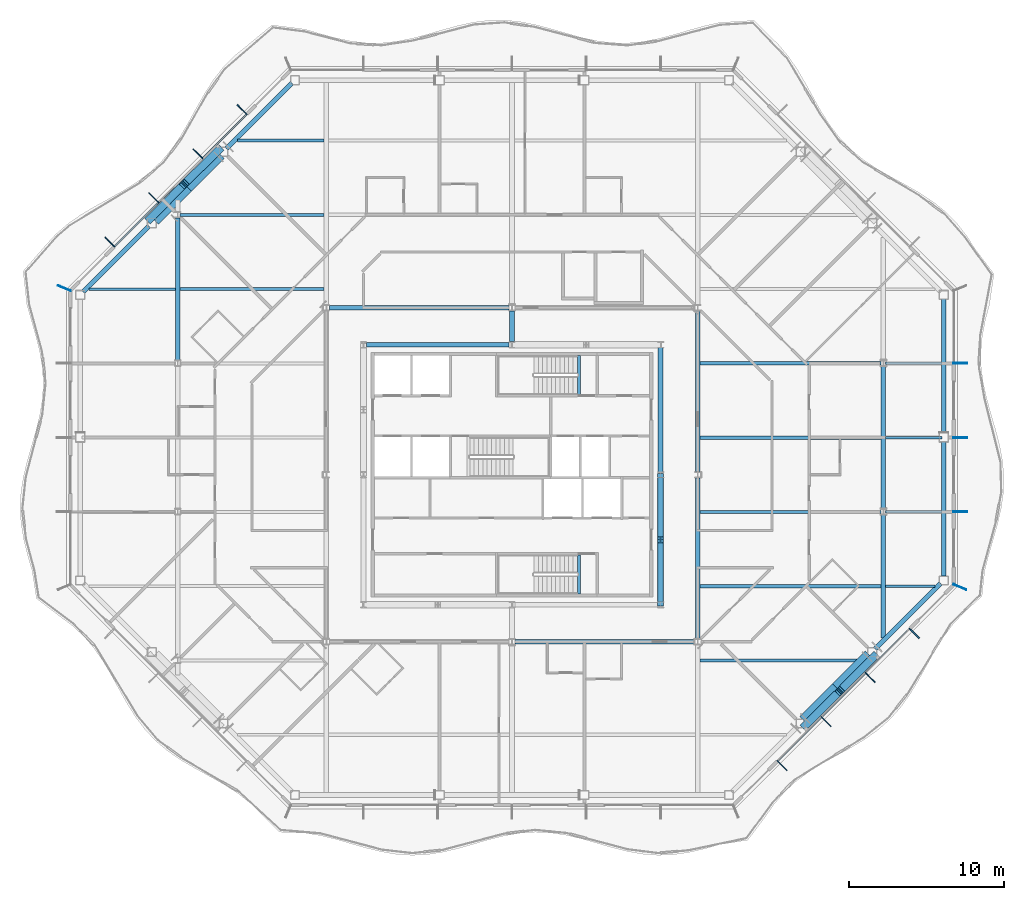
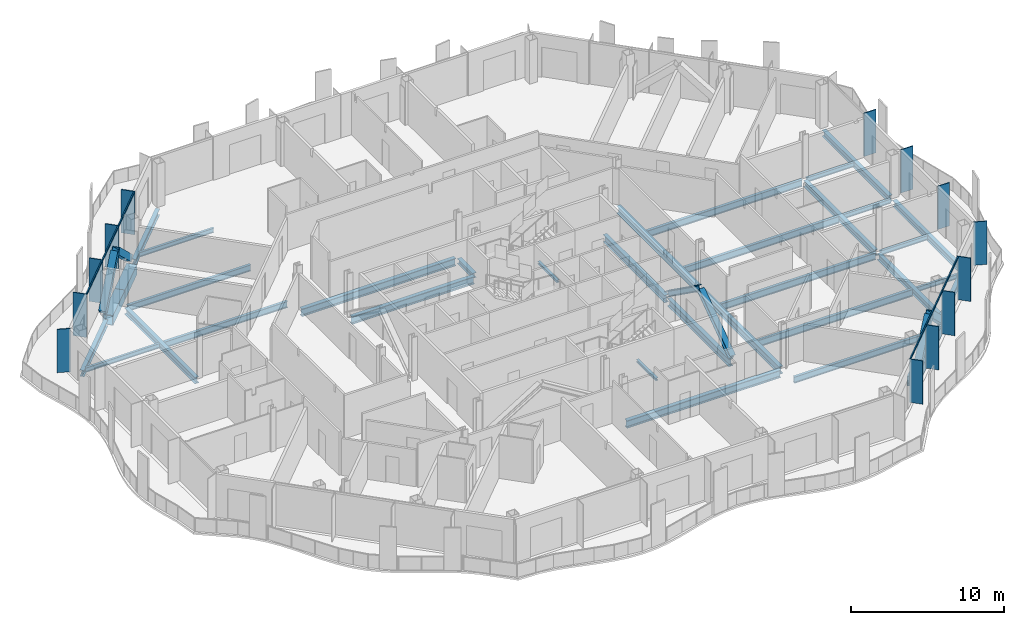
# One storey, part 4 of 21: 35 beams, 25 members, 4 elements without a shape of their own.
"""IFC4 building model written with IfcOpenShell, lengths in metres."""

from ifc_helpers import new_model, si_unit, direction, frame, origin, origin_2d, place, context, subcontext, project, spatial, rectangle, hollow_rectangle, i_section, extrude, material, material_profile, profile_set, type_object, element, aggregate, save


model = new_model("IFC4")

# Units and contexts
model_context = context("Model", 3, precision=1e-05, world=origin(), true_north=direction((0.0, 1.0)))
body_context = subcontext(model_context, "Body", "Model", "MODEL_VIEW")
ifc_project = project(units=[si_unit("LENGTHUNIT", "METRE"), si_unit("AREAUNIT", "SQUARE_METRE"), si_unit("VOLUMEUNIT", "CUBIC_METRE"), si_unit("PLANEANGLEUNIT", "RADIAN"), si_unit("MASSUNIT", "GRAM", prefix="KILO")], contexts=[model_context])

# Site, building, storey
site_placement = place(None, origin())
site = spatial("IfcSite", under=ifc_project, at=site_placement, CompositionType="ELEMENT")
building_placement = place(site_placement, origin())
building = spatial("IfcBuilding", under=site, at=building_placement, Name="Cairn Pilgrim Tower", CompositionType="ELEMENT")
storey_placement = place(building_placement, frame((0.0, 0.0, 154.199951171875)))
storey = spatial("IfcBuildingStorey", under=building, at=storey_placement, Name="L38", CompositionType="ELEMENT", Elevation=154.199951171875)

# Members
ifc_material_1 = material(Name="Structural steel S460M", Category="steel")
ifc_material_profile_1 = material_profile(ifc_material_1, hollow_rectangle(XDim=0.5, YDim=0.5, WallThickness=0.030029296875, at=origin_2d()), Name="BOX 500x500x30")
ifc_profile_set_1 = profile_set([ifc_material_profile_1], Name="Structural steel S460M")
member_type_1 = type_object("IfcMemberType", Name="BOX 500x500x30 BRACE", PredefinedType="BRACE", material=ifc_profile_set_1)
for number, where, z_axis, x_axis, name in (
    (1, (26.097900390625, -13.84326171875, 0.150146484375), (0.540432836476, 0.53283023714, 0.651171473306), (-0.702080283622, 0.712097799006, 0.0), "XB-SE2-SE3-1"),
    (2, (30.643310546875, -9.2978515625, 0.150146484375), (-0.53283023714, -0.540432836476, 0.651171473306), (0.712097799006, -0.702080283622, 0.0), "XB-SE2-SE3-2"),
    (3, (-11.697998046875, 23.443359375, 0.150146484375), (-0.540432836476, -0.53283023714, 0.651171473306), (0.702080283622, -0.712097799006, 0.0), "XB-NW2-NW3-1"),
    (4, (-16.243408203125, 18.89794921875, 0.150146484375), (0.532872437944, 0.54041586551, 0.651151024866), (-0.712058976351, 0.702119658034, 0.0), "XB-NW2-NW3-2"),
):
    element("IfcMember", number, at=place(storey_placement, frame(where, z_axis=z_axis, x_axis=x_axis)), inside=storey, type_object=member_type_1, Name=name, PredefinedType="BRACE", context=body_context, shape_type="SweptSolid", body=[
        extrude(hollow_rectangle(XDim=0.5, YDim=0.5, WallThickness=0.030029296875, at=origin_2d()), origin(), (0.0, 0.0, 1.0), 4.142578125),
    ])

# Beams
ifc_material_2 = material(Name="Structural steel S355J2", Category="steel")
ifc_material_profile_2 = material_profile(ifc_material_2, hollow_rectangle(XDim=0.699951171875, YDim=0.800048828125, WallThickness=0.0400390625, at=origin_2d()), Name="BOX 700x800x40")
ifc_profile_set_2 = profile_set([ifc_material_profile_2], Name="Structural steel S355J2")
beam_type_1 = type_object("IfcBeamType", Name="BOX 700x800x40 RING GIRDER", PredefinedType="SPANDREL", material=ifc_profile_set_2)
for number, where, z_axis, x_axis, name in (
    (5, (26.04248046875, -13.48486328125, -0.550048828125), (0.707066087907, 0.707147472125, 0.0), (-0.707147472125, 0.707066087907, 0.0), "RG2-SE2-SE3-1"),
    (6, (28.16357421875, -11.363525390625, -0.550048828125), (0.707147472125, 0.707066087907, 0.0), (-0.707066087907, 0.707147472125, 0.0), "RG2-SE2-SE3-2"),
    (7, (-11.642333984375, 23.084716796875, -0.550048828125), (-0.707147472125, -0.707066087907, 0.0), (0.707066087907, -0.707147472125, 0.0), "RG2-NW2-NW3-1"),
    (8, (-13.763671875, 20.963623046875, -0.550048828125), (-0.707066087907, -0.707147472125, 0.0), (0.707147472125, -0.707066087907, 0.0), "RG2-NW2-NW3-2"),
):
    element("IfcBeam", number, at=place(storey_placement, frame(where, z_axis=z_axis, x_axis=x_axis)), inside=storey, type_object=beam_type_1, Name=name, PredefinedType="SPANDREL", context=body_context, shape_type="SweptSolid", body=[
        extrude(hollow_rectangle(XDim=0.699951171875, YDim=0.800048828125, WallThickness=0.0400390625, at=origin_2d()), origin(), (0.0, 0.0, 1.0), 2.999755859375),
    ])

# Curtain wall, members
ifc_material_3 = material(Name="Aluminium alloy 6063-T6 bronze anodised with Bronze tinted laminated low-E glass 8+16+8.8", Category="aluminium")
curtain_wall_type_1 = type_object("IfcCurtainWallType", Name="CHAMFER CORNER CURTAIN WALL", PredefinedType="NOTDEFINED", material=ifc_material_3)
curtain_wall_1_placement = place(storey_placement, origin())
curtain_wall_1 = element("IfcCurtainWall", 9, at=curtain_wall_1_placement, inside=storey, type_object=curtain_wall_type_1, Name="Chamfer Corner Curtain Wall SE", PredefinedType="NOTDEFINED")
ifc_material_4 = material(Name="Aluminium alloy 6063-T6 bronze anodised", Category="aluminium")
ifc_material_profile_3 = material_profile(ifc_material_4, rectangle(XDim=0.89990234375, YDim=0.06005859375, at=origin_2d()), Name="FIN MULLION 60x900 BRONZE")
ifc_profile_set_3 = profile_set([ifc_material_profile_3], Name="Aluminium alloy 6063-T6 bronze anodised")
member_type_2 = type_object("IfcMemberType", Name="FIN MULLION 60x900 BRONZE", PredefinedType="MULLION", material=ifc_profile_set_3)
member_1_placement = place(storey_placement, frame((24.64404296875, -16.396240234375, 0.0), z_axis=(0.0, 0.0, 1.0), x_axis=(0.707106781187, -0.707106781187, 0.0)))
member_1 = element("IfcMember", 10, at=member_1_placement, type_object=member_type_2, Name="Fin mullion SE2", PredefinedType="MULLION", context=body_context, shape_type="SweptSolid", body=[
    extrude(rectangle(XDim=0.89990234375, YDim=0.06005859375, at=origin_2d()), origin(), (0.0, 0.0, 1.0), 3.449951171875),
])
member_2_placement = place(storey_placement, frame((27.494873046875, -13.545654296875, 0.0), z_axis=(0.0, 0.0, 1.0), x_axis=(0.707106781187, -0.707106781187, 0.0)))
member_2 = element("IfcMember", 11, at=member_2_placement, type_object=member_type_2, Name="Fin mullion SE3", PredefinedType="MULLION", context=body_context, shape_type="SweptSolid", body=[
    extrude(rectangle(XDim=0.89990234375, YDim=0.06005859375, at=origin_2d()), origin(), (0.0, 0.0, 1.0), 3.449951171875),
])
member_3_placement = place(storey_placement, frame((30.345458984375, -10.69482421875, 0.0), z_axis=(0.0, 0.0, 1.0), x_axis=(0.707106781187, -0.707106781187, 0.0)))
member_3 = element("IfcMember", 12, at=member_3_placement, type_object=member_type_2, Name="Fin mullion SE4", PredefinedType="MULLION", context=body_context, shape_type="SweptSolid", body=[
    extrude(rectangle(XDim=0.89990234375, YDim=0.06005859375, at=origin_2d()), origin(), (0.0, 0.0, 1.0), 3.449951171875),
])
member_4_placement = place(storey_placement, frame((33.1962890625, -7.84423828125, 0.0), z_axis=(0.0, 0.0, 1.0), x_axis=(0.707106781187, -0.707106781187, 0.0)))
member_4 = element("IfcMember", 13, at=member_4_placement, type_object=member_type_2, Name="Fin mullion SE5", PredefinedType="MULLION", context=body_context, shape_type="SweptSolid", body=[
    extrude(rectangle(XDim=0.89990234375, YDim=0.06005859375, at=origin_2d()), origin(), (0.0, 0.0, 1.0), 3.449951171875),
])

curtain_wall_type_2 = type_object("IfcCurtainWallType", Name="TOWER STICK CURTAIN WALL EW", PredefinedType="NOTDEFINED", material=ifc_material_3)
curtain_wall_2_placement = place(storey_placement, origin())
curtain_wall_2 = element("IfcCurtainWall", 14, at=curtain_wall_2_placement, inside=storey, type_object=curtain_wall_type_2, Name="Tower Stick Curtain Wall Ew E", PredefinedType="NOTDEFINED")
member_5_placement = place(storey_placement, frame((36.137939453125, -4.857177734375, 0.0), z_axis=(0.0, 0.0, 1.0), x_axis=(0.923879532511, -0.382683432365, 0.0)))
member_5 = element("IfcMember", 15, at=member_5_placement, type_object=member_type_2, Name="Fin mullion E1", PredefinedType="MULLION", context=body_context, shape_type="SweptSolid", body=[
    extrude(rectangle(XDim=0.89990234375, YDim=0.06005859375, at=origin_2d()), origin(), (0.0, 0.0, 1.0), 3.449951171875),
])
member_6_placement = place(storey_placement, frame((36.169921875, 0.0, 0.0), z_axis=(0.0, 0.0, 1.0), x_axis=(1.0, 0.0, 0.0)))
member_6 = element("IfcMember", 16, at=member_6_placement, type_object=member_type_2, Name="Fin mullion E2", PredefinedType="MULLION", context=body_context, shape_type="SweptSolid", body=[
    extrude(rectangle(XDim=0.89990234375, YDim=0.06005859375, at=origin_2d()), origin(), (0.0, 0.0, 1.0), 3.449951171875),
])
member_7_placement = place(storey_placement, frame((36.169921875, 4.800048828125, 0.0), z_axis=(0.0, 0.0, 1.0), x_axis=(1.0, 0.0, 0.0)))
member_7 = element("IfcMember", 17, at=member_7_placement, type_object=member_type_2, Name="Fin mullion E3", PredefinedType="MULLION", context=body_context, shape_type="SweptSolid", body=[
    extrude(rectangle(XDim=0.89990234375, YDim=0.06005859375, at=origin_2d()), origin(), (0.0, 0.0, 1.0), 3.449951171875),
])
member_8_placement = place(storey_placement, frame((36.169921875, 9.60009765625, 0.0), z_axis=(0.0, 0.0, 1.0), x_axis=(1.0, 0.0, 0.0)))
member_8 = element("IfcMember", 18, at=member_8_placement, type_object=member_type_2, Name="Fin mullion E4", PredefinedType="MULLION", context=body_context, shape_type="SweptSolid", body=[
    extrude(rectangle(XDim=0.89990234375, YDim=0.06005859375, at=origin_2d()), origin(), (0.0, 0.0, 1.0), 3.449951171875),
])
aggregate(curtain_wall_2, [member_5, member_6, member_7, member_8])

curtain_wall_3_placement = place(storey_placement, origin())
curtain_wall_3 = element("IfcCurtainWall", 19, at=curtain_wall_3_placement, inside=storey, type_object=curtain_wall_type_1, Name="Chamfer Corner Curtain Wall NW", PredefinedType="NOTDEFINED")
member_9_placement = place(storey_placement, frame((-10.244140625, 25.996337890625, 0.0), z_axis=(0.0, 0.0, 1.0), x_axis=(-0.707106781187, 0.707106781187, 0.0)))
member_9 = element("IfcMember", 20, at=member_9_placement, type_object=member_type_2, Name="Fin mullion NW2", PredefinedType="MULLION", context=body_context, shape_type="SweptSolid", body=[
    extrude(rectangle(XDim=0.89990234375, YDim=0.06005859375, at=origin_2d()), origin(), (0.0, 0.0, 1.0), 3.449951171875),
])
member_10_placement = place(storey_placement, frame((-13.094970703125, 23.1455078125, 0.0), z_axis=(0.0, 0.0, 1.0), x_axis=(-0.707106781187, 0.707106781187, 0.0)))
member_10 = element("IfcMember", 21, at=member_10_placement, type_object=member_type_2, Name="Fin mullion NW3", PredefinedType="MULLION", context=body_context, shape_type="SweptSolid", body=[
    extrude(rectangle(XDim=0.89990234375, YDim=0.06005859375, at=origin_2d()), origin(), (0.0, 0.0, 1.0), 3.449951171875),
])
member_11_placement = place(storey_placement, frame((-15.945556640625, 20.294921875, 0.0), z_axis=(0.0, 0.0, 1.0), x_axis=(-0.707106781187, 0.707106781187, 0.0)))
member_11 = element("IfcMember", 22, at=member_11_placement, type_object=member_type_2, Name="Fin mullion NW4", PredefinedType="MULLION", context=body_context, shape_type="SweptSolid", body=[
    extrude(rectangle(XDim=0.89990234375, YDim=0.06005859375, at=origin_2d()), origin(), (0.0, 0.0, 1.0), 3.449951171875),
])
member_12_placement = place(storey_placement, frame((-18.79638671875, 17.444091796875, 0.0), z_axis=(0.0, 0.0, 1.0), x_axis=(-0.707106781187, 0.707106781187, 0.0)))
member_12 = element("IfcMember", 23, at=member_12_placement, type_object=member_type_2, Name="Fin mullion NW5", PredefinedType="MULLION", context=body_context, shape_type="SweptSolid", body=[
    extrude(rectangle(XDim=0.89990234375, YDim=0.06005859375, at=origin_2d()), origin(), (0.0, 0.0, 1.0), 3.449951171875),
])

# Curtain wall, member
curtain_wall_4_placement = place(storey_placement, origin())
curtain_wall_4 = element("IfcCurtainWall", 24, at=curtain_wall_4_placement, inside=storey, type_object=curtain_wall_type_2, Name="Tower Stick Curtain Wall Ew W", PredefinedType="NOTDEFINED")
member_13_placement = place(storey_placement, frame((-21.738037109375, 14.457275390625, 0.0), z_axis=(0.0, 0.0, 1.0), x_axis=(-0.923879532511, 0.382683432365, 0.0)))
member_13 = element("IfcMember", 25, at=member_13_placement, type_object=member_type_2, Name="Fin mullion W1", PredefinedType="MULLION", context=body_context, shape_type="SweptSolid", body=[
    extrude(rectangle(XDim=0.89990234375, YDim=0.06005859375, at=origin_2d()), origin(), (0.0, 0.0, 1.0), 3.449951171875),
])
aggregate(curtain_wall_4, [member_13])

# Members
ifc_material_profile_4 = material_profile(ifc_material_1, i_section(OverallWidth=0.408935546875, OverallDepth=0.425048828125, WebThickness=0.03271484375, FlangeThickness=0.052490234375, FilletRadius=0.014892578125, at=origin_2d()), Name="HD 400x421")
ifc_profile_set_4 = profile_set([ifc_material_profile_4], Name="Structural steel S460M")
member_type_3 = type_object("IfcMemberType", Name="HD 400x421 BRACE", PredefinedType="BRACE", material=ifc_profile_set_4)
member_14_placement = place(storey_placement, frame((16.800048828125, -5.95849609375, 0.10009765625), z_axis=(0.0, 0.814346882511, 0.580378458373), x_axis=(-1.0, 0.0, 0.0)))
element("IfcMember", 26, at=member_14_placement, inside=storey, type_object=member_type_3, Name="KB-2A", PredefinedType="BRACE", context=body_context, shape_type="SweptSolid", body=[
    extrude(i_section(OverallWidth=0.408935546875, OverallDepth=0.425048828125, WebThickness=0.03271484375, FlangeThickness=0.052490234375, FilletRadius=0.014892578125, at=origin_2d()), origin(), (0.0, 0.0, 1.0), 4.998291015625),
])
member_15_placement = place(storey_placement, frame((16.800048828125, 2.3583984375, 0.10009765625), z_axis=(0.0, -0.81433042856, 0.580401544727), x_axis=(1.0, 0.0, 0.0)))
element("IfcMember", 27, at=member_15_placement, inside=storey, type_object=member_type_3, Name="KB-2B", PredefinedType="BRACE", context=body_context, shape_type="SweptSolid", body=[
    extrude(i_section(OverallWidth=0.408935546875, OverallDepth=0.425048828125, WebThickness=0.03271484375, FlangeThickness=0.052490234375, FilletRadius=0.014892578125, at=origin_2d()), origin(), (0.0, 0.0, 1.0), 4.998046875),
])

# Beams
ifc_material_profile_5 = material_profile(ifc_material_2, i_section(OverallWidth=0.300048828125, OverallDepth=0.39990234375, WebThickness=0.013427734375, FlangeThickness=0.02392578125, FilletRadius=0.027099609375, at=origin_2d()), Name="HEB 400")
ifc_profile_set_5 = profile_set([ifc_material_profile_5], Name="Structural steel S355J2")
beam_type_2 = type_object("IfcBeamType", Name="HEB 400 GIRDER", PredefinedType="BEAM", material=ifc_profile_set_5)
beam_1_placement = place(storey_placement, frame((7.199951171875, 11.008056640625, -0.349853515625), z_axis=(0.0, 1.0, 0.0), x_axis=(-1.0, 0.0, 0.0)))
element("IfcBeam", 28, at=beam_1_placement, inside=storey, type_object=beam_type_2, Name="PG3-E2", PredefinedType="BEAM", context=body_context, shape_type="SweptSolid", body=[
    extrude(i_section(OverallWidth=0.300048828125, OverallDepth=0.39990234375, WebThickness=0.013427734375, FlangeThickness=0.02392578125, FilletRadius=0.027099609375, at=origin_2d()), origin(), (0.0, 0.0, 1.0), 1.992431640625),
])
ifc_material_profile_6 = material_profile(ifc_material_2, i_section(OverallWidth=0.300048828125, OverallDepth=0.5, WebThickness=0.014404296875, FlangeThickness=0.028076171875, FilletRadius=0.027099609375, at=origin_2d()), Name="HEB 500")
ifc_profile_set_6 = profile_set([ifc_material_profile_6], Name="Structural steel S355J2")
beam_type_3 = type_object("IfcBeamType", Name="HEB 500 GIRDER", PredefinedType="BEAM", material=ifc_profile_set_6)
beam_2_placement = place(storey_placement, frame((-14.39990234375, 9.799560546875, -0.39990234375), z_axis=(0.0, 1.0, 0.0), x_axis=(-1.0, 0.0, 0.0)))
element("IfcBeam", 29, at=beam_2_placement, inside=storey, type_object=beam_type_3, Name="PG1-3", PredefinedType="BEAM", context=body_context, shape_type="SweptSolid", body=[
    extrude(i_section(OverallWidth=0.300048828125, OverallDepth=0.5, WebThickness=0.014404296875, FlangeThickness=0.028076171875, FilletRadius=0.027099609375, at=origin_2d()), origin(), (0.0, 0.0, 1.0), 9.200927734375),
])
beam_3_placement = place(storey_placement, frame((31.199951171875, -8.14501953125, -0.39990234375), z_axis=(0.0, 1.0, 0.0), x_axis=(-1.0, 0.0, 0.0)))
element("IfcBeam", 30, at=beam_3_placement, inside=storey, type_object=beam_type_3, Name="PG5-1", PredefinedType="BEAM", context=body_context, shape_type="SweptSolid", body=[
    extrude(i_section(OverallWidth=0.300048828125, OverallDepth=0.5, WebThickness=0.014404296875, FlangeThickness=0.028076171875, FilletRadius=0.027099609375, at=origin_2d()), origin(), (0.0, 0.0, 1.0), 7.9404296875),
])
beam_4_placement = place(storey_placement, frame((31.199951171875, 0.20458984375, -0.39990234375), z_axis=(0.0, 1.0, 0.0), x_axis=(-1.0, 0.0, 0.0)))
element("IfcBeam", 31, at=beam_4_placement, inside=storey, type_object=beam_type_3, Name="PG5-2", PredefinedType="BEAM", context=body_context, shape_type="SweptSolid", body=[
    extrude(i_section(OverallWidth=0.300048828125, OverallDepth=0.5, WebThickness=0.014404296875, FlangeThickness=0.028076171875, FilletRadius=0.027099609375, at=origin_2d()), origin(), (0.0, 0.0, 1.0), 9.19091796875),
])
ifc_material_profile_7 = material_profile(ifc_material_2, i_section(OverallWidth=0.300048828125, OverallDepth=0.5, WebThickness=0.014404296875, FlangeThickness=0.028076171875, FilletRadius=0.027099609375, at=origin_2d()), Name="HEB 500")
ifc_profile_set_7 = profile_set([ifc_material_profile_7], Name="Structural steel S355J2")
beam_type_4 = type_object("IfcBeamType", Name="HEB 500 RING GIRDER", PredefinedType="SPANDREL", material=ifc_profile_set_7)
beam_5_placement = place(storey_placement, frame((30.666748046875, -8.860595703125, -0.39990234375), z_axis=(0.707106781187, 0.707106781187, 0.0), x_axis=(-0.707106781187, 0.707106781187, 0.0)))
element("IfcBeam", 32, at=beam_5_placement, inside=storey, type_object=beam_type_4, Name="RG2-SE3-E1", PredefinedType="SPANDREL", context=body_context, shape_type="SweptSolid", body=[
    extrude(i_section(OverallWidth=0.300048828125, OverallDepth=0.5, WebThickness=0.014404296875, FlangeThickness=0.028076171875, FilletRadius=0.027099609375, at=origin_2d()), origin(), (0.0, 0.0, 1.0), 5.999755859375),
])
beam_6_placement = place(storey_placement, frame((35.10009765625, -4.1572265625, -0.39990234375), z_axis=(0.0, 1.0, 0.0), x_axis=(-1.0, 0.0, 0.0)))
element("IfcBeam", 33, at=beam_6_placement, inside=storey, type_object=beam_type_4, Name="RG2-E1-E2", PredefinedType="SPANDREL", context=body_context, shape_type="SweptSolid", body=[
    extrude(i_section(OverallWidth=0.300048828125, OverallDepth=0.5, WebThickness=0.014404296875, FlangeThickness=0.028076171875, FilletRadius=0.027099609375, at=origin_2d()), origin(), (0.0, 0.0, 1.0), 8.687255859375),
])
beam_7_placement = place(storey_placement, frame((35.10009765625, 5.070068359375, -0.39990234375), z_axis=(0.0, 1.0, 0.0), x_axis=(-1.0, 0.0, 0.0)))
element("IfcBeam", 34, at=beam_7_placement, inside=storey, type_object=beam_type_4, Name="RG2-E2-NE1", PredefinedType="SPANDREL", context=body_context, shape_type="SweptSolid", body=[
    extrude(i_section(OverallWidth=0.300048828125, OverallDepth=0.5, WebThickness=0.014404296875, FlangeThickness=0.028076171875, FilletRadius=0.027099609375, at=origin_2d()), origin(), (0.0, 0.0, 1.0), 8.68701171875),
])
beam_8_placement = place(storey_placement, frame((-7.01806640625, 27.708984375, -0.39990234375), z_axis=(-0.707127127534, -0.707086434254, 0.0), x_axis=(0.707086434254, -0.707127127534, 0.0)))
element("IfcBeam", 35, at=beam_8_placement, inside=storey, type_object=beam_type_4, Name="RG2-NW1-NW2", PredefinedType="SPANDREL", context=body_context, shape_type="SweptSolid", body=[
    extrude(i_section(OverallWidth=0.300048828125, OverallDepth=0.5, WebThickness=0.014404296875, FlangeThickness=0.028076171875, FilletRadius=0.027099609375, at=origin_2d()), origin(), (0.0, 0.0, 1.0), 5.99951171875),
])
beam_9_placement = place(storey_placement, frame((-16.2666015625, 18.460693359375, -0.39990234375), z_axis=(-0.707086435425, -0.707127126363, 0.0), x_axis=(0.707127126363, -0.707086435425, 0.0)))
element("IfcBeam", 36, at=beam_9_placement, inside=storey, type_object=beam_type_4, Name="RG2-NW3-W1", PredefinedType="SPANDREL", context=body_context, shape_type="SweptSolid", body=[
    extrude(i_section(OverallWidth=0.300048828125, OverallDepth=0.5, WebThickness=0.014404296875, FlangeThickness=0.028076171875, FilletRadius=0.027099609375, at=origin_2d()), origin(), (0.0, 0.0, 1.0), 5.999755859375),
])
ifc_material_profile_8 = material_profile(ifc_material_2, i_section(OverallWidth=0.300048828125, OverallDepth=0.60009765625, WebThickness=0.015380859375, FlangeThickness=0.030029296875, FilletRadius=0.027099609375, at=origin_2d()), Name="HEB 600")
ifc_profile_set_8 = profile_set([ifc_material_profile_8], Name="Structural steel S355J2")
beam_type_5 = type_object("IfcBeamType", Name="HEB 600 CORE BEAM", PredefinedType="BEAM", material=ifc_profile_set_8)
for number, where, z_axis, x_axis, name in (
    (37, (16.800048828125, -5.812744140625, -0.449951171875), (0.0, 1.0, 0.0), (-1.0, 0.0, 0.0), "CB-3"),
    (38, (16.800048828125, 2.587158203125, -0.449951171875), (0.0, 1.0, 0.0), (-1.0, 0.0, 0.0), "CB-4"),
):
    element("IfcBeam", number, at=place(storey_placement, frame(where, z_axis=z_axis, x_axis=x_axis)), inside=storey, type_object=beam_type_5, Name=name, PredefinedType="BEAM", context=body_context, shape_type="SweptSolid", body=[
        extrude(i_section(OverallWidth=0.300048828125, OverallDepth=0.60009765625, WebThickness=0.015380859375, FlangeThickness=0.030029296875, FilletRadius=0.027099609375, at=origin_2d()), origin(), (0.0, 0.0, 1.0), 8.025634765625),
    ])
beam_10_placement = place(storey_placement, frame((7.0126953125, 10.800048828125, -0.449951171875), z_axis=(-1.0, 0.0, 0.0), x_axis=(0.0, -1.0, 0.0)))
element("IfcBeam", 39, at=beam_10_placement, inside=storey, type_object=beam_type_5, Name="CB-6", PredefinedType="BEAM", context=body_context, shape_type="SweptSolid", body=[
    extrude(i_section(OverallWidth=0.300048828125, OverallDepth=0.60009765625, WebThickness=0.015380859375, FlangeThickness=0.030029296875, FilletRadius=0.027099609375, at=origin_2d()), origin(), (0.0, 0.0, 1.0), 9.2255859375),
])
ifc_material_profile_9 = material_profile(ifc_material_2, i_section(OverallWidth=0.300048828125, OverallDepth=0.60009765625, WebThickness=0.015380859375, FlangeThickness=0.030029296875, FilletRadius=0.027099609375, at=origin_2d()), Name="HEB 600")
ifc_profile_set_9 = profile_set([ifc_material_profile_9], Name="Structural steel S355J2")
beam_type_6 = type_object("IfcBeamType", Name="HEB 600 GIRDER", PredefinedType="BEAM", material=ifc_profile_set_9)
for number, where, z_axis, x_axis, name in (
    (40, (19.199951171875, -8.200439453125, -0.449951171875), (0.0, 1.0, 0.0), (-1.0, 0.0, 0.0), "PG4-2"),
    (41, (19.199951171875, 2.599609375, -0.449951171875), (0.0, 1.0, 0.0), (-1.0, 0.0, 0.0), "PG4-3"),
):
    element("IfcBeam", number, at=place(storey_placement, frame(where, z_axis=z_axis, x_axis=x_axis)), inside=storey, type_object=beam_type_6, Name=name, PredefinedType="BEAM", context=body_context, shape_type="SweptSolid", body=[
        extrude(i_section(OverallWidth=0.300048828125, OverallDepth=0.60009765625, WebThickness=0.015380859375, FlangeThickness=0.030029296875, FilletRadius=0.027099609375, at=origin_2d()), origin(), (0.0, 0.0, 1.0), 10.40087890625),
    ])
ifc_material_profile_10 = material_profile(ifc_material_2, i_section(OverallWidth=0.300048828125, OverallDepth=0.60009765625, WebThickness=0.015380859375, FlangeThickness=0.030029296875, FilletRadius=0.027099609375, at=origin_2d()), Name="HEB 600")
ifc_profile_set_10 = profile_set([ifc_material_profile_10], Name="Structural steel S355J2")
beam_type_7 = type_object("IfcBeamType", Name="HEB 600 INNER GIRDER", PredefinedType="BEAM", material=ifc_profile_set_10)
for number, where, z_axis, x_axis, name in (
    (42, (7.3994140625, -8.39990234375, -0.449951171875), (1.0, 0.0, 0.0), (0.0, 1.0, 0.0), "IG1-2"),
    (43, (-4.6005859375, 13.199951171875, -0.449951171875), (1.0, 0.0, 0.0), (0.0, 1.0, 0.0), "IG2-1"),
):
    element("IfcBeam", number, at=place(storey_placement, frame(where, z_axis=z_axis, x_axis=x_axis)), inside=storey, type_object=beam_type_7, Name=name, PredefinedType="BEAM", context=body_context, shape_type="SweptSolid", body=[
        extrude(i_section(OverallWidth=0.300048828125, OverallDepth=0.60009765625, WebThickness=0.015380859375, FlangeThickness=0.030029296875, FilletRadius=0.027099609375, at=origin_2d()), origin(), (0.0, 0.0, 1.0), 11.60107421875),
    ])
ifc_material_profile_11 = material_profile(ifc_material_2, i_section(OverallWidth=0.169921875, OverallDepth=0.360107421875, WebThickness=0.008056640625, FlangeThickness=0.0126953125, FilletRadius=0.01806640625, at=origin_2d()), Name="IPE 360")
ifc_profile_set_11 = profile_set([ifc_material_profile_11], Name="Structural steel S355J2")
beam_type_8 = type_object("IfcBeamType", Name="IPE 360 SECONDARY BEAM", PredefinedType="JOIST", material=ifc_profile_set_11)
beam_11_placement = place(storey_placement, frame((31.35009765625, -4.800048828125, -0.329833984375), z_axis=(1.0, 0.0, 0.0), x_axis=(0.0, 1.0, 0.0)))
element("IfcBeam", 44, at=beam_11_placement, inside=storey, type_object=beam_type_8, Name="SB3-4", PredefinedType="JOIST", context=body_context, shape_type="SweptSolid", body=[
    extrude(i_section(OverallWidth=0.169921875, OverallDepth=0.360107421875, WebThickness=0.008056640625, FlangeThickness=0.0126953125, FilletRadius=0.01806640625, at=origin_2d()), origin(), (0.0, 0.0, 1.0), 3.195068359375),
])
for number, where, z_axis, x_axis, name in (
    (45, (31.35009765625, 0.0, -0.329833984375), (1.0, 0.0, 0.0), (0.0, 1.0, 0.0), "SB4-4"),
    (46, (31.35009765625, 4.800048828125, -0.329833984375), (1.0, 0.0, 0.0), (0.0, 1.0, 0.0), "SB5-4"),
    (47, (31.35009765625, 9.60009765625, -0.329833984375), (1.0, 0.0, 0.0), (0.0, 1.0, 0.0), "SB6-4"),
):
    element("IfcBeam", number, at=place(storey_placement, frame(where, z_axis=z_axis, x_axis=x_axis)), inside=storey, type_object=beam_type_8, Name=name, PredefinedType="JOIST", context=body_context, shape_type="SweptSolid", body=[
        extrude(i_section(OverallWidth=0.169921875, OverallDepth=0.360107421875, WebThickness=0.008056640625, FlangeThickness=0.0126953125, FilletRadius=0.01806640625, at=origin_2d()), origin(), (0.0, 0.0, 1.0), 3.6298828125),
    ])
beam_12_placement = place(storey_placement, frame((-20.14501953125, 14.39990234375, -0.329833984375), z_axis=(1.0, 0.0, 0.0), x_axis=(0.0, 1.0, 0.0)))
element("IfcBeam", 48, at=beam_12_placement, inside=storey, type_object=beam_type_8, Name="SB7-1", PredefinedType="JOIST", context=body_context, shape_type="SweptSolid", body=[
    extrude(i_section(OverallWidth=0.169921875, OverallDepth=0.360107421875, WebThickness=0.008056640625, FlangeThickness=0.0126953125, FilletRadius=0.01806640625, at=origin_2d()), origin(), (0.0, 0.0, 1.0), 5.594970703125),
])
beam_13_placement = place(storey_placement, frame((-10.545166015625, 24.0, -0.329833984375), z_axis=(1.0, 0.0, 0.0), x_axis=(0.0, 1.0, 0.0)))
element("IfcBeam", 49, at=beam_13_placement, inside=storey, type_object=beam_type_8, Name="SB9-1", PredefinedType="JOIST", context=body_context, shape_type="SweptSolid", body=[
    extrude(i_section(OverallWidth=0.169921875, OverallDepth=0.360107421875, WebThickness=0.008056640625, FlangeThickness=0.0126953125, FilletRadius=0.01806640625, at=origin_2d()), origin(), (0.0, 0.0, 1.0), 5.59521484375),
])
ifc_material_profile_12 = material_profile(ifc_material_2, i_section(OverallWidth=0.199951171875, OverallDepth=0.5, WebThickness=0.01025390625, FlangeThickness=0.01611328125, FilletRadius=0.02099609375, at=origin_2d()), Name="IPE 500")
ifc_profile_set_12 = profile_set([ifc_material_profile_12], Name="Structural steel S355J2")
beam_type_9 = type_object("IfcBeamType", Name="IPE 500 SECONDARY BEAM", PredefinedType="JOIST", material=ifc_profile_set_12)
beam_14_placement = place(storey_placement, frame((19.35009765625, -9.60009765625, -0.39990234375), z_axis=(1.0, 0.0, 0.0), x_axis=(0.0, 1.0, 0.0)))
element("IfcBeam", 50, at=beam_14_placement, inside=storey, type_object=beam_type_9, Name="SB2-2", PredefinedType="JOIST", context=body_context, shape_type="SweptSolid", body=[
    extrude(i_section(OverallWidth=0.199951171875, OverallDepth=0.5, WebThickness=0.01025390625, FlangeThickness=0.01611328125, FilletRadius=0.02099609375, at=origin_2d()), origin(), (0.0, 0.0, 1.0), 10.39501953125),
])
for number, where, z_axis, x_axis, name in (
    (51, (-14.25, 14.39990234375, -0.39990234375), (1.0, 0.0, 0.0), (0.0, 1.0, 0.0), "SB7-2"),
    (52, (-14.25, 19.199951171875, -0.39990234375), (1.0, 0.0, 0.0), (0.0, 1.0, 0.0), "SB8-1"),
):
    element("IfcBeam", number, at=place(storey_placement, frame(where, z_axis=z_axis, x_axis=x_axis)), inside=storey, type_object=beam_type_9, Name=name, PredefinedType="JOIST", context=body_context, shape_type="SweptSolid", body=[
        extrude(i_section(OverallWidth=0.199951171875, OverallDepth=0.5, WebThickness=0.01025390625, FlangeThickness=0.01611328125, FilletRadius=0.02099609375, at=origin_2d()), origin(), (0.0, 0.0, 1.0), 9.300048828125),
    ])
ifc_material_profile_13 = material_profile(ifc_material_2, i_section(OverallWidth=0.2099609375, OverallDepth=0.550048828125, WebThickness=0.010986328125, FlangeThickness=0.01708984375, FilletRadius=0.02392578125, at=origin_2d()), Name="IPE 550")
ifc_profile_set_13 = profile_set([ifc_material_profile_13], Name="Structural steel S355J2")
beam_type_10 = type_object("IfcBeamType", Name="IPE 550 SECONDARY BEAM", PredefinedType="JOIST", material=ifc_profile_set_13)
for number, where, z_axis, x_axis, name in (
    (53, (19.35009765625, -4.800048828125, -0.425048828125), (1.0, 0.0, 0.0), (0.0, 1.0, 0.0), "SB3-3"),
    (54, (19.35009765625, 0.0, -0.425048828125), (1.0, 0.0, 0.0), (0.0, 1.0, 0.0), "SB4-3"),
    (55, (19.35009765625, 4.800048828125, -0.425048828125), (1.0, 0.0, 0.0), (0.0, 1.0, 0.0), "SB5-3"),
    (56, (19.35009765625, 9.60009765625, -0.425048828125), (1.0, 0.0, 0.0), (0.0, 1.0, 0.0), "SB6-3"),
):
    element("IfcBeam", number, at=place(storey_placement, frame(where, z_axis=z_axis, x_axis=x_axis)), inside=storey, type_object=beam_type_10, Name=name, PredefinedType="JOIST", context=body_context, shape_type="SweptSolid", body=[
        extrude(i_section(OverallWidth=0.2099609375, OverallDepth=0.550048828125, WebThickness=0.010986328125, FlangeThickness=0.01708984375, FilletRadius=0.02392578125, at=origin_2d()), origin(), (0.0, 0.0, 1.0), 11.699951171875),
    ])
ifc_material_profile_14 = material_profile(ifc_material_2, i_section(OverallWidth=0.199951171875, OverallDepth=0.199951171875, WebThickness=0.009033203125, FlangeThickness=0.014892578125, FilletRadius=0.01806640625, at=origin_2d()), Name="HE 200 B")
ifc_profile_set_14 = profile_set([ifc_material_profile_14], Name="Structural steel S355J2")
beam_type_11 = type_object("IfcBeamType", Name="STAIR LANDING BEAM HE 200 B", PredefinedType="BEAM", material=ifc_profile_set_14)
for number, where, z_axis, x_axis, name in (
    (57, (11.5244140625, -2.77490234375, -0.25), (0.0, -1.0, 0.0), (1.0, 0.0, 0.0), "STAIR LANDING BEAM LD-HE200B"),
    (58, (11.5244140625, 10.10009765625, -0.25), (0.0, -1.0, 0.0), (1.0, 0.0, 0.0), "STAIR LANDING BEAM LD-HE200B"),
):
    element("IfcBeam", number, at=place(storey_placement, frame(where, z_axis=z_axis, x_axis=x_axis)), inside=storey, type_object=beam_type_11, Name=name, PredefinedType="BEAM", context=body_context, shape_type="SweptSolid", body=[
        extrude(i_section(OverallWidth=0.199951171875, OverallDepth=0.199951171875, WebThickness=0.009033203125, FlangeThickness=0.014892578125, FilletRadius=0.01806640625, at=origin_2d()), origin(), (0.0, 0.0, 1.0), 2.525146484375),
    ])

# Member
ifc_material_profile_15 = material_profile(ifc_material_4, rectangle(XDim=0.080078125, YDim=0.14990234375, at=origin_2d()), Name="TRANSOM 80x150 BRONZE")
ifc_profile_set_15 = profile_set([ifc_material_profile_15], Name="Aluminium alloy 6063-T6 bronze anodised")
member_type_4 = type_object("IfcMemberType", Name="TRANSOM 80x150 BRONZE", PredefinedType="USERDEFINED", material=ifc_profile_set_15)
member_16_placement = place(storey_placement, frame((24.368408203125, -16.078125, 3.375), z_axis=(0.707106781187, 0.707106781187, 0.0), x_axis=(-0.707106781187, 0.707106781187, 0.0)))
member_16 = element("IfcMember", 59, at=member_16_placement, type_object=member_type_4, Name="Transom SE2", ObjectType="TRANSOM", PredefinedType="USERDEFINED", context=body_context, shape_type="SweptSolid", body=[
    extrude(rectangle(XDim=0.080078125, YDim=0.14990234375, at=origin_2d()), origin(), (0.0, 0.0, 1.0), 3.9716796875),
])

member_17_placement = place(storey_placement, frame((27.218994140625, -13.227294921875, 3.375), z_axis=(0.70713751761, 0.707076043427, 0.0), x_axis=(-0.707076043427, 0.70713751761, 0.0)))
member_17 = element("IfcMember", 60, at=member_17_placement, type_object=member_type_4, Name="Transom SE3", ObjectType="TRANSOM", PredefinedType="USERDEFINED", context=body_context, shape_type="SweptSolid", body=[
    extrude(rectangle(XDim=0.080078125, YDim=0.14990234375, at=origin_2d()), origin(), (0.0, 0.0, 1.0), 3.971435546875),
])

member_18_placement = place(storey_placement, frame((30.06982421875, -10.376708984375, 3.375), z_axis=(0.707106781187, 0.707106781187, 0.0), x_axis=(-0.707106781187, 0.707106781187, 0.0)))
member_18 = element("IfcMember", 61, at=member_18_placement, type_object=member_type_4, Name="Transom SE4", ObjectType="TRANSOM", PredefinedType="USERDEFINED", context=body_context, shape_type="SweptSolid", body=[
    extrude(rectangle(XDim=0.080078125, YDim=0.14990234375, at=origin_2d()), origin(), (0.0, 0.0, 1.0), 3.9716796875),
])

aggregate(curtain_wall_1, [member_1, member_2, member_3, member_4, member_16, member_17, member_18])

member_19_placement = place(storey_placement, frame((-9.96826171875, 25.677978515625, 3.375), z_axis=(-0.70713751761, -0.707076043427, 0.0), x_axis=(0.707076043427, -0.70713751761, 0.0)))
member_19 = element("IfcMember", 62, at=member_19_placement, type_object=member_type_4, Name="Transom NW2", ObjectType="TRANSOM", PredefinedType="USERDEFINED", context=body_context, shape_type="SweptSolid", body=[
    extrude(rectangle(XDim=0.080078125, YDim=0.14990234375, at=origin_2d()), origin(), (0.0, 0.0, 1.0), 3.971435546875),
])

member_20_placement = place(storey_placement, frame((-12.819091796875, 22.827392578125, 3.375), z_axis=(-0.707106781187, -0.707106781187, 0.0), x_axis=(0.707106781187, -0.707106781187, 0.0)))
member_20 = element("IfcMember", 63, at=member_20_placement, type_object=member_type_4, Name="Transom NW3", ObjectType="TRANSOM", PredefinedType="USERDEFINED", context=body_context, shape_type="SweptSolid", body=[
    extrude(rectangle(XDim=0.080078125, YDim=0.14990234375, at=origin_2d()), origin(), (0.0, 0.0, 1.0), 3.9716796875),
])

member_21_placement = place(storey_placement, frame((-15.669677734375, 19.9765625, 3.375), z_axis=(-0.70713751761, -0.707076043427, 0.0), x_axis=(0.707076043427, -0.70713751761, 0.0)))
member_21 = element("IfcMember", 64, at=member_21_placement, type_object=member_type_4, Name="Transom NW4", ObjectType="TRANSOM", PredefinedType="USERDEFINED", context=body_context, shape_type="SweptSolid", body=[
    extrude(rectangle(XDim=0.080078125, YDim=0.14990234375, at=origin_2d()), origin(), (0.0, 0.0, 1.0), 3.971435546875),
])

aggregate(curtain_wall_3, [member_9, member_10, member_11, member_12, member_19, member_20, member_21])

save(model, "model.ifc")
